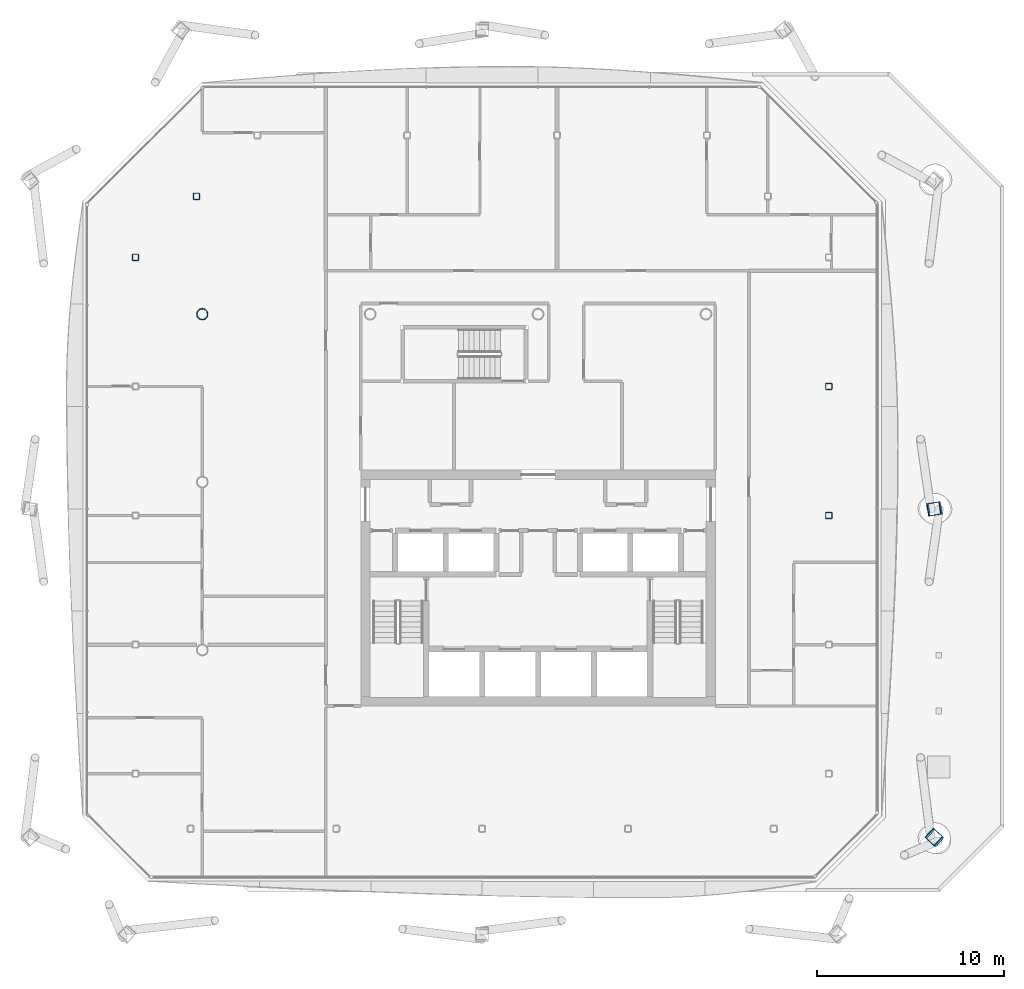
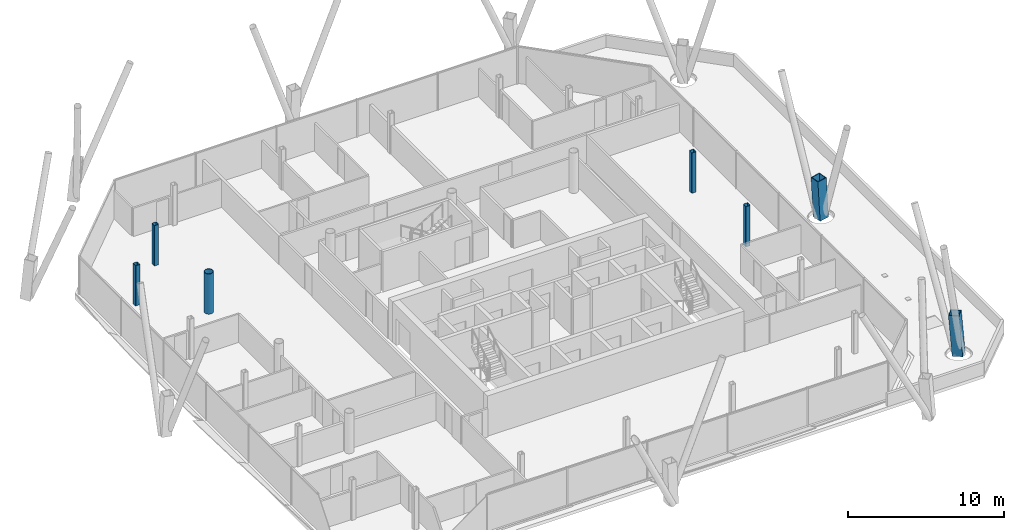
# One storey, part 2 of 21: 7 columns.
"""IFC4 building model written with IfcOpenShell, lengths in metres."""

from ifc_helpers import new_model, si_unit, direction, frame, origin, origin_2d, place, context, subcontext, project, spatial, hollow_rectangle, hollow_circle, extrude, material, material_profile, profile_set, type_object, element, save


model = new_model("IFC4")

# Units and contexts
model_context = context("Model", 3, precision=1e-05, world=origin(), true_north=direction((0.0, 1.0)))
body_context = subcontext(model_context, "Body", "Model", "MODEL_VIEW")
ifc_project = project(units=[si_unit("LENGTHUNIT", "METRE"), si_unit("AREAUNIT", "SQUARE_METRE"), si_unit("VOLUMEUNIT", "CUBIC_METRE"), si_unit("PLANEANGLEUNIT", "RADIAN"), si_unit("MASSUNIT", "GRAM", prefix="KILO")], contexts=[model_context])

# Site, building, storey
site_placement = place(None, origin())
site = spatial("IfcSite", under=ifc_project, at=site_placement, CompositionType="ELEMENT")
building_placement = place(site_placement, origin())
building = spatial("IfcBuilding", under=site, at=building_placement, Name="Tskaro Facet Tower", CompositionType="ELEMENT")
storey_placement = place(building_placement, frame((0.0, 0.0, 172.199951171875)))
storey = spatial("IfcBuildingStorey", under=building, at=storey_placement, Name="L42", CompositionType="ELEMENT", Elevation=172.199951171875)

# Columns
ifc_material_1 = material(Name="Steel S460M", Category="steel")
ifc_material_profile_1 = material_profile(ifc_material_1, hollow_rectangle(XDim=0.699951171875, YDim=0.699951171875, WallThickness=0.044921875, at=origin_2d()), Name="BOX 700x700x45")
ifc_profile_set_1 = profile_set([ifc_material_profile_1], Name="Steel S460M")
column_type_1 = type_object("IfcColumnType", Name="BOX 700x700x45 mega column", PredefinedType="COLUMN", material=ifc_profile_set_1)
column_1_placement = place(storey_placement, frame((21.27587890625, -19.0849609375, 0.0), z_axis=(-0.057869979134, 0.052847884817, 0.996924353492), x_axis=(-0.674339490337, -0.738421459448, 0.0)))
element("IfcColumn", 1, at=column_1_placement, inside=storey, type_object=column_type_1, Name="BOX 700x700x45 MC04/4", PredefinedType="COLUMN", context=body_context, shape_type="SweptSolid", body=[
    extrude(hollow_rectangle(XDim=0.699951171875, YDim=0.699951171875, WallThickness=0.044921875, at=origin_2d()), origin(), (0.0, 0.0, 1.0), 3.159912109375),
])
column_2_placement = place(storey_placement, frame((21.27587890625, -1.43408203125, 0.0), z_axis=(-0.057948337275, -0.009516215601, 0.998274226777), x_axis=(0.162048444398, -0.986782803695, 0.0)))
element("IfcColumn", 2, at=column_2_placement, inside=storey, type_object=column_type_1, Name="BOX 700x700x45 MC05/4", PredefinedType="COLUMN", context=body_context, shape_type="SweptSolid", body=[
    extrude(hollow_rectangle(XDim=0.699951171875, YDim=0.699951171875, WallThickness=0.044921875, at=origin_2d()), origin(), (0.0, 0.0, 1.0), 3.155517578125),
])
ifc_material_2 = material(Name="Steel S355J2H", Category="steel")
ifc_material_profile_2 = material_profile(ifc_material_2, hollow_circle(Radius=0.304931640625, WallThickness=0.030029296875, at=origin_2d()), Name="CHS 610x30")
ifc_profile_set_2 = profile_set([ifc_material_profile_2], Name="Steel S355J2H")
column_type_2 = type_object("IfcColumnType", Name="CHS 610x30 interior column", PredefinedType="COLUMN", material=ifc_profile_set_2)
column_3_placement = place(storey_placement, frame((-18.0, 9.0, 0.0), z_axis=(0.0, 0.0, 1.0), x_axis=(1.0, 0.0, 0.0)))
element("IfcColumn", 3, at=column_3_placement, inside=storey, type_object=column_type_2, Name="CHS 610x30 C2E/4", PredefinedType="COLUMN", context=body_context, shape_type="SweptSolid", body=[
    extrude(hollow_circle(Radius=0.304931640625, WallThickness=0.030029296875, at=origin_2d()), origin(), (0.0, 0.0, 1.0), 3.150146484375),
])
ifc_material_profile_3 = material_profile(ifc_material_2, hollow_rectangle(XDim=0.35009765625, YDim=0.35009765625, WallThickness=0.02001953125, InnerFilletRadius=0.030029296875, OuterFilletRadius=0.050048828125, at=origin_2d()), Name="SHS 350x350x20")
ifc_profile_set_3 = profile_set([ifc_material_profile_3], Name="Steel S355J2H")
column_type_3 = type_object("IfcColumnType", Name="SHS 350x350x20 ring column", PredefinedType="COLUMN", material=ifc_profile_set_3)
for number, where, z_axis, x_axis, name in (
    (4, (15.5830078125, -1.79296875, 0.0), (0.0, 0.0, 1.0), (1.0, 0.0, 0.0), "SHS 350x350x20 RE-3/4"),
    (5, (15.5830078125, 5.1259765625, 0.0), (0.0, 0.0, 1.0), (1.0, 0.0, 0.0), "SHS 350x350x20 RE-4/4"),
    (6, (-18.31396484375, 15.31396484375, 0.0), (0.0, 0.0, 1.0), (1.0, 0.0, 0.0), "SHS 350x350x20 RNW-2/4"),
    (7, (-21.5830078125, 12.0458984375, 0.0), (0.0, 0.0, 1.0), (1.0, 0.0, 0.0), "SHS 350x350x20 RW-1/4"),
):
    element("IfcColumn", number, at=place(storey_placement, frame(where, z_axis=z_axis, x_axis=x_axis)), inside=storey, type_object=column_type_3, Name=name, PredefinedType="COLUMN", context=body_context, shape_type="SweptSolid", body=[
        extrude(hollow_rectangle(XDim=0.35009765625, YDim=0.35009765625, WallThickness=0.02001953125, InnerFilletRadius=0.030029296875, OuterFilletRadius=0.050048828125, at=origin_2d()), origin(), (0.0, 0.0, 1.0), 3.150146484375),
    ])

save(model, "model.ifc")
